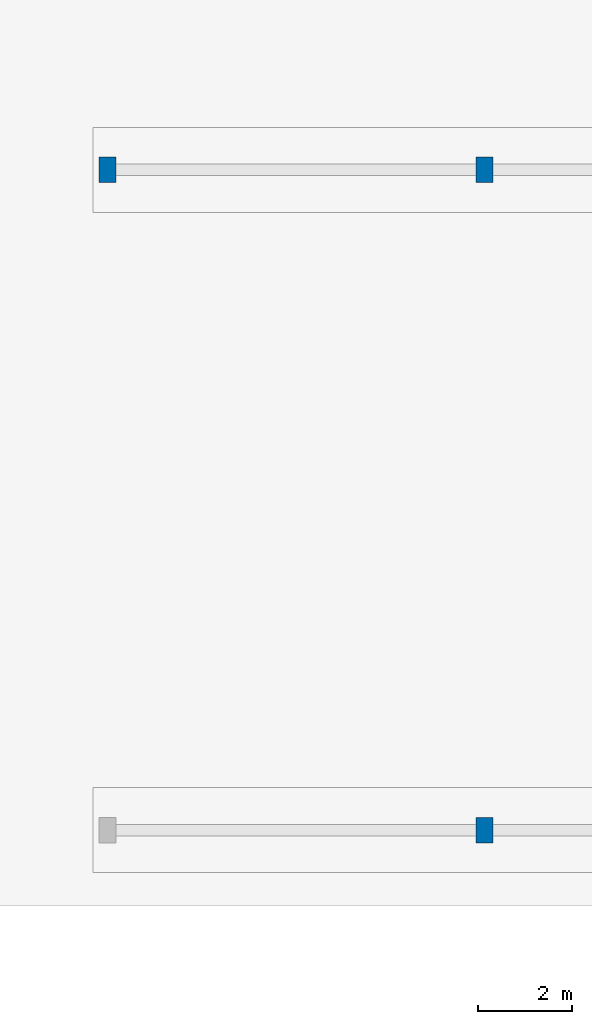
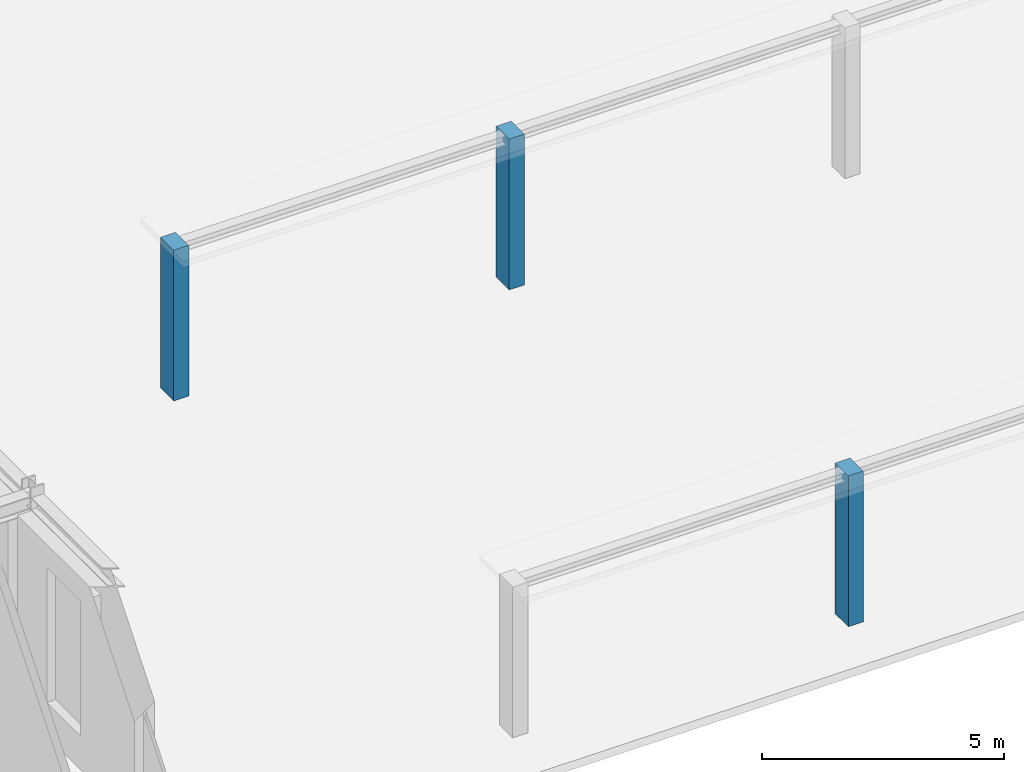
# One storey, part 2 of 129: 3 columns.
"""IFC4 building model written with IfcOpenShell, lengths in metres."""

from ifc_helpers import new_model, si_unit, direction, frame, origin, origin_2d, place, context, subcontext, project, spatial, rectangle, extrude, material, material_profile, profile_set, type_object, element, save


model = new_model("IFC4")

# Units and contexts
model_context = context("Model", 3, precision=1e-05, world=origin(), true_north=direction((0.0, 1.0)))
body_context = subcontext(model_context, "Body", "Model", "MODEL_VIEW")
ifc_project = project(units=[si_unit("LENGTHUNIT", "METRE"), si_unit("AREAUNIT", "SQUARE_METRE"), si_unit("VOLUMEUNIT", "CUBIC_METRE"), si_unit("PLANEANGLEUNIT", "RADIAN"), si_unit("MASSUNIT", "GRAM", prefix="KILO")], contexts=[model_context])

# Site, building, storey
site_placement = place(None, origin())
site = spatial("IfcSite", under=ifc_project, at=site_placement, CompositionType="ELEMENT")
building_placement = place(site_placement, origin())
building = spatial("IfcBuilding", under=site, at=building_placement, Name="Sundkrona Museum", CompositionType="ELEMENT")
storey_placement = place(building_placement, origin())
storey = spatial("IfcBuildingStorey", under=building, at=storey_placement, Name="L00", CompositionType="ELEMENT", Elevation=0.0)

# Columns
ifc_material = material(Name="Concrete C40/50", Category="concrete")
ifc_material_profile = material_profile(ifc_material, rectangle(XDim=0.360107421875, YDim=0.5400390625, at=origin_2d()), Name="RC 540x360")
ifc_profile_set = profile_set([ifc_material_profile], Name="Concrete C40/50")
column_type = type_object("IfcColumnType", Name="PIL-540", PredefinedType="PILASTER", material=ifc_profile_set)
for number, where, z_axis, x_axis, name in (
    (1, (56.0, 48.0, 0.0), (0.0, 0.0, 1.0), (1.0, 0.0, 0.0), "Courtyard Cloister Pilaster PF-CL-02"),
    (2, (48.0, 62.0, 0.0), (0.0, 0.0, 1.0), (1.0, 0.0, 0.0), "Courtyard Cloister Pilaster PF-CL-05"),
    (3, (56.0, 62.0, 0.0), (0.0, 0.0, 1.0), (1.0, 0.0, 0.0), "Courtyard Cloister Pilaster PF-CL-06"),
):
    element("IfcColumn", number, at=place(storey_placement, frame(where, z_axis=z_axis, x_axis=x_axis)), inside=storey, type_object=column_type, Name=name, PredefinedType="PILASTER", context=body_context, shape_type="SweptSolid", body=[
        extrude(rectangle(XDim=0.360107421875, YDim=0.5400390625, at=origin_2d()), origin(), (0.0, 0.0, 1.0), 3.800048828125),
    ])

save(model, "model.ifc")
